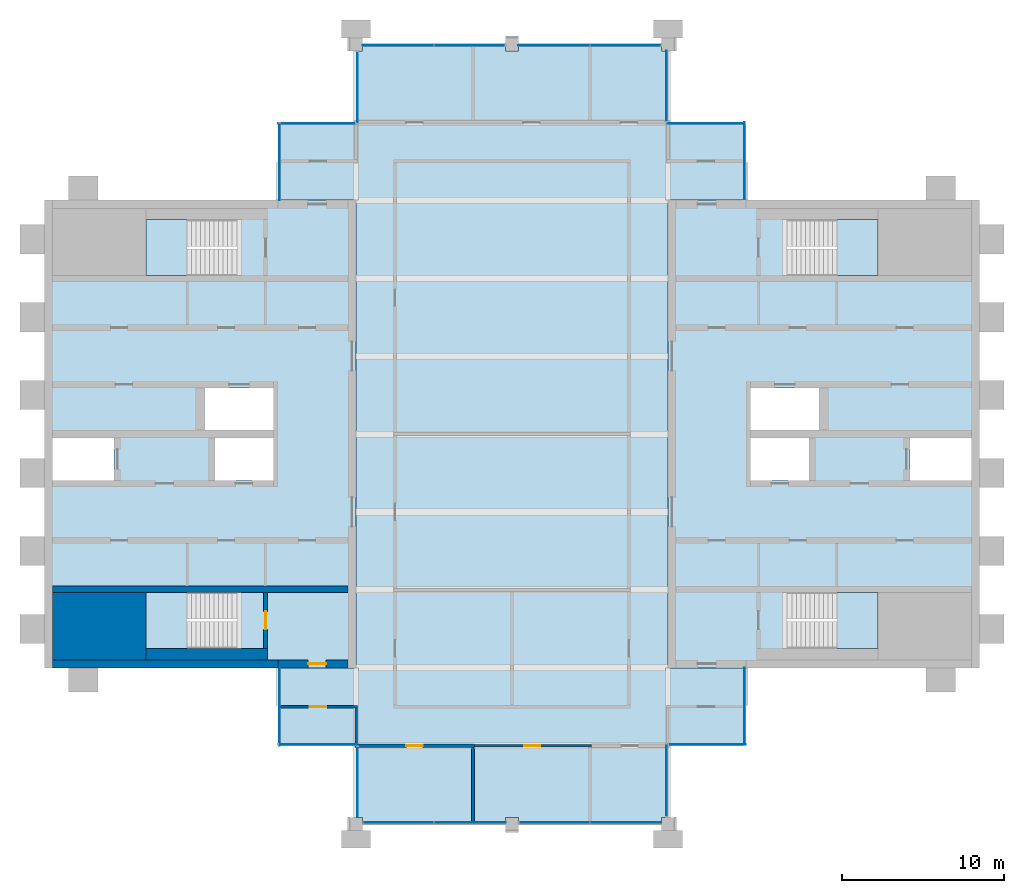
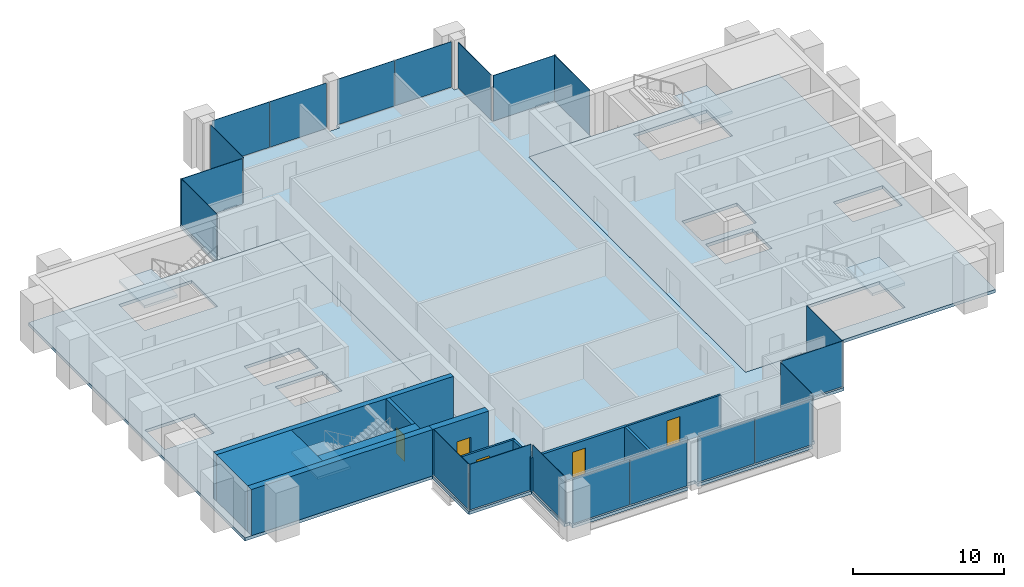
# One storey, part 7 of 11: 20 plates, 11 walls, 7 slabs, 5 doors, 5 openings, 20 elements without a shape of their own.
"""IFC4 building model written with IfcOpenShell, lengths in metres."""

from ifc_helpers import new_model, si_unit, direction, frame, frame_2d, origin, origin_2d, place, context, subcontext, project, spatial, polyline, rectangle, outline, extrude, material, layer, layer_set, type_object, element, fill, aggregate, save


model = new_model("IFC4")

# Units and contexts
model_context = context("Model", 3, precision=1e-05, world=origin(), true_north=direction((0.0, 1.0)))
body_context = subcontext(model_context, "Body", "Model", "MODEL_VIEW")
ifc_project = project(units=[si_unit("LENGTHUNIT", "METRE"), si_unit("AREAUNIT", "SQUARE_METRE"), si_unit("VOLUMEUNIT", "CUBIC_METRE"), si_unit("PLANEANGLEUNIT", "RADIAN"), si_unit("MASSUNIT", "GRAM", prefix="KILO")], contexts=[model_context])

# Site, building, storey
site_placement = place(None, origin())
site = spatial("IfcSite", under=ifc_project, at=site_placement, CompositionType="ELEMENT")
building_placement = place(site_placement, origin())
building = spatial("IfcBuilding", under=site, at=building_placement, Name="Baori Bourse Tower", CompositionType="ELEMENT")
storey_placement = place(building_placement, frame((0.0, 0.0, 358.300048828125)))
storey = spatial("IfcBuildingStorey", under=building, at=storey_placement, Name="L80", CompositionType="ELEMENT", Elevation=358.300048828125)

# Curtain wall, plate
ifc_material_1 = material(Name="Pale anodised aluminium", Category="aluminium")
curtain_wall_type = type_object("IfcCurtainWallType", Name="CW3 Curtain wall", PredefinedType="NOTDEFINED", material=ifc_material_1)
curtain_wall_1_placement = place(storey_placement, origin())
curtain_wall_1 = element("IfcCurtainWall", 1, at=curtain_wall_1_placement, inside=storey, type_object=curtain_wall_type, Name="Curtain wall CW3 L80 1", PredefinedType="NOTDEFINED")
ifc_material_2 = material(Name="Pale anodised aluminium", Category="aluminium")
ifc_layer_1 = layer(ifc_material_2, 0.0400390625)
ifc_layer_set_1 = layer_set([ifc_layer_1], Name="CW3 Curtain wall panel")
plate_type = type_object("IfcPlateType", Name="CW3 Curtain wall panel", PredefinedType="CURTAIN_PANEL", material=ifc_layer_set_1)
plate_1_placement = place(storey_placement, frame((43.1201171875, 7.22509765625, 0.06005859375), z_axis=(0.0, 0.0, 1.0), x_axis=(0.0, 1.0, 0.0)))
plate_1 = element("IfcPlate", 2, at=plate_1_placement, type_object=plate_type, Name="Curtain wall CW3 louvre panel", PredefinedType="CURTAIN_PANEL", context=body_context, shape_type="SweptSolid", body=[
    extrude(rectangle(XDim=4.75, YDim=0.0400390625, at=origin_2d()), origin(), (0.0, 0.0, 1.0), 3.68994140625),
])
aggregate(curtain_wall_1, [plate_1])

curtain_wall_2_placement = place(storey_placement, origin())
curtain_wall_2 = element("IfcCurtainWall", 3, at=curtain_wall_2_placement, inside=storey, type_object=curtain_wall_type, Name="Curtain wall CW3 L80 2", PredefinedType="NOTDEFINED")
plate_2_placement = place(storey_placement, frame((43.1201171875, 40.824951171875, 0.06005859375), z_axis=(0.0, 0.0, 1.0), x_axis=(0.0, 1.0, 0.0)))
plate_2 = element("IfcPlate", 4, at=plate_2_placement, type_object=plate_type, Name="Curtain wall CW3 louvre panel", PredefinedType="CURTAIN_PANEL", context=body_context, shape_type="SweptSolid", body=[
    extrude(rectangle(XDim=4.75, YDim=0.0400390625, at=origin_2d()), origin(), (0.0, 0.0, 1.0), 3.68994140625),
])
aggregate(curtain_wall_2, [plate_2])

curtain_wall_3_placement = place(storey_placement, origin())
curtain_wall_3 = element("IfcCurtainWall", 5, at=curtain_wall_3_placement, inside=storey, type_object=curtain_wall_type, Name="Curtain wall CW3 L80 3", PredefinedType="NOTDEFINED")
plate_3_placement = place(storey_placement, frame((40.77490234375, 43.1201171875, 0.06005859375), z_axis=(0.0, 0.0, 1.0), x_axis=(-1.0, 0.0, 0.0)))
plate_3 = element("IfcPlate", 6, at=plate_3_placement, type_object=plate_type, Name="Curtain wall CW3 louvre panel", PredefinedType="CURTAIN_PANEL", context=body_context, shape_type="SweptSolid", body=[
    extrude(rectangle(XDim=4.75, YDim=0.0400390625, at=origin_2d()), origin(), (0.0, 0.0, 1.0), 3.68994140625),
])
aggregate(curtain_wall_3, [plate_3])

curtain_wall_4_placement = place(storey_placement, origin())
curtain_wall_4 = element("IfcCurtainWall", 7, at=curtain_wall_4_placement, inside=storey, type_object=curtain_wall_type, Name="Curtain wall CW3 L80 4", PredefinedType="NOTDEFINED")
plate_4_placement = place(storey_placement, frame((38.320068359375, 45.425048828125, 0.06005859375), z_axis=(0.0, 0.0, 1.0), x_axis=(0.0, 1.0, 0.0)))
plate_4 = element("IfcPlate", 8, at=plate_4_placement, type_object=plate_type, Name="Curtain wall CW3 louvre panel", PredefinedType="CURTAIN_PANEL", context=body_context, shape_type="SweptSolid", body=[
    extrude(rectangle(XDim=4.35009765625, YDim=0.0400390625, at=origin_2d()), origin(), (0.0, 0.0, 1.0), 3.68994140625),
])
aggregate(curtain_wall_4, [plate_4])

# Curtain wall, plates
curtain_wall_5_placement = place(storey_placement, origin())
curtain_wall_5 = element("IfcCurtainWall", 9, at=curtain_wall_5_placement, inside=storey, type_object=curtain_wall_type, Name="Curtain wall CW3 L80 5", PredefinedType="NOTDEFINED")
plate_5_placement = place(storey_placement, frame((35.78759765625, 47.919921875, 0.06005859375), z_axis=(0.0, 0.0, 1.0), x_axis=(-1.0, 0.0, 0.0)))
plate_5 = element("IfcPlate", 10, at=plate_5_placement, type_object=plate_type, Name="Curtain wall CW3 louvre panel", PredefinedType="CURTAIN_PANEL", context=body_context, shape_type="SweptSolid", body=[
    extrude(rectangle(XDim=4.324951171875, YDim=0.0400390625, at=origin_2d()), origin(), (0.0, 0.0, 1.0), 3.68994140625),
])
plate_6_placement = place(storey_placement, frame((31.387451171875, 47.919921875, 0.06005859375), z_axis=(0.0, 0.0, 1.0), x_axis=(-1.0, 0.0, 0.0)))
plate_6 = element("IfcPlate", 11, at=plate_6_placement, type_object=plate_type, Name="Curtain wall CW3 louvre panel", PredefinedType="CURTAIN_PANEL", context=body_context, shape_type="SweptSolid", body=[
    extrude(rectangle(XDim=4.375, YDim=0.0400390625, at=origin_2d()), origin(), (0.0, 0.0, 1.0), 3.68994140625),
])
aggregate(curtain_wall_5, [plate_5, plate_6])

curtain_wall_6_placement = place(storey_placement, origin())
curtain_wall_6 = element("IfcCurtainWall", 12, at=curtain_wall_6_placement, inside=storey, type_object=curtain_wall_type, Name="Curtain wall CW3 L80 6", PredefinedType="NOTDEFINED")
plate_7_placement = place(storey_placement, frame((26.1875, 47.919921875, 0.06005859375), z_axis=(0.0, 0.0, 1.0), x_axis=(-1.0, 0.0, 0.0)))
plate_7 = element("IfcPlate", 13, at=plate_7_placement, type_object=plate_type, Name="Curtain wall CW3 louvre panel", PredefinedType="CURTAIN_PANEL", context=body_context, shape_type="SweptSolid", body=[
    extrude(rectangle(XDim=4.324951171875, YDim=0.0400390625, at=origin_2d()), origin(), (0.0, 0.0, 1.0), 3.68994140625),
])
plate_8_placement = place(storey_placement, frame((21.78759765625, 47.919921875, 0.06005859375), z_axis=(0.0, 0.0, 1.0), x_axis=(-1.0, 0.0, 0.0)))
plate_8 = element("IfcPlate", 14, at=plate_8_placement, type_object=plate_type, Name="Curtain wall CW3 louvre panel", PredefinedType="CURTAIN_PANEL", context=body_context, shape_type="SweptSolid", body=[
    extrude(rectangle(XDim=4.375, YDim=0.0400390625, at=origin_2d()), origin(), (0.0, 0.0, 1.0), 3.68994140625),
])
aggregate(curtain_wall_6, [plate_7, plate_8])

# Curtain wall, plate
curtain_wall_7_placement = place(storey_placement, origin())
curtain_wall_7 = element("IfcCurtainWall", 15, at=curtain_wall_7_placement, inside=storey, type_object=curtain_wall_type, Name="Curtain wall CW3 L80 7", PredefinedType="NOTDEFINED")
plate_9_placement = place(storey_placement, frame((19.280029296875, 45.375, 0.06005859375), z_axis=(0.0, 0.0, 1.0), x_axis=(0.0, -1.0, 0.0)))
plate_9 = element("IfcPlate", 16, at=plate_9_placement, type_object=plate_type, Name="Curtain wall CW3 louvre panel", PredefinedType="CURTAIN_PANEL", context=body_context, shape_type="SweptSolid", body=[
    extrude(rectangle(XDim=4.35009765625, YDim=0.0400390625, at=origin_2d()), origin(), (0.0, 0.0, 1.0), 3.68994140625),
])
aggregate(curtain_wall_7, [plate_9])

curtain_wall_8_placement = place(storey_placement, origin())
curtain_wall_8 = element("IfcCurtainWall", 17, at=curtain_wall_8_placement, inside=storey, type_object=curtain_wall_type, Name="Curtain wall CW3 L80 8", PredefinedType="NOTDEFINED")
plate_10_placement = place(storey_placement, frame((16.77490234375, 43.1201171875, 0.06005859375), z_axis=(0.0, 0.0, 1.0), x_axis=(-1.0, 0.0, 0.0)))
plate_10 = element("IfcPlate", 18, at=plate_10_placement, type_object=plate_type, Name="Curtain wall CW3 louvre panel", PredefinedType="CURTAIN_PANEL", context=body_context, shape_type="SweptSolid", body=[
    extrude(rectangle(XDim=4.75, YDim=0.0400390625, at=origin_2d()), origin(), (0.0, 0.0, 1.0), 3.68994140625),
])
aggregate(curtain_wall_8, [plate_10])

curtain_wall_9_placement = place(storey_placement, origin())
curtain_wall_9 = element("IfcCurtainWall", 19, at=curtain_wall_9_placement, inside=storey, type_object=curtain_wall_type, Name="Curtain wall CW3 L80 9", PredefinedType="NOTDEFINED")
plate_11_placement = place(storey_placement, frame((14.47998046875, 40.77490234375, 0.06005859375), z_axis=(0.0, 0.0, 1.0), x_axis=(0.0, -1.0, 0.0)))
plate_11 = element("IfcPlate", 20, at=plate_11_placement, type_object=plate_type, Name="Curtain wall CW3 louvre panel", PredefinedType="CURTAIN_PANEL", context=body_context, shape_type="SweptSolid", body=[
    extrude(rectangle(XDim=4.75, YDim=0.0400390625, at=origin_2d()), origin(), (0.0, 0.0, 1.0), 3.68994140625),
])
aggregate(curtain_wall_9, [plate_11])

curtain_wall_10_placement = place(storey_placement, origin())
curtain_wall_10 = element("IfcCurtainWall", 21, at=curtain_wall_10_placement, inside=storey, type_object=curtain_wall_type, Name="Curtain wall CW3 L80 10", PredefinedType="NOTDEFINED")
plate_12_placement = place(storey_placement, frame((14.47998046875, 7.175048828125, 0.06005859375), z_axis=(0.0, 0.0, 1.0), x_axis=(0.0, -1.0, 0.0)))
plate_12 = element("IfcPlate", 22, at=plate_12_placement, type_object=plate_type, Name="Curtain wall CW3 louvre panel", PredefinedType="CURTAIN_PANEL", context=body_context, shape_type="SweptSolid", body=[
    extrude(rectangle(XDim=4.75, YDim=0.0400390625, at=origin_2d()), origin(), (0.0, 0.0, 1.0), 3.68994140625),
])
aggregate(curtain_wall_10, [plate_12])

curtain_wall_11_placement = place(storey_placement, origin())
curtain_wall_11 = element("IfcCurtainWall", 23, at=curtain_wall_11_placement, inside=storey, type_object=curtain_wall_type, Name="Curtain wall CW3 L80 11", PredefinedType="NOTDEFINED")
plate_13_placement = place(storey_placement, frame((16.824951171875, 4.8798828125, 0.06005859375), z_axis=(0.0, 0.0, 1.0), x_axis=(1.0, 0.0, 0.0)))
plate_13 = element("IfcPlate", 24, at=plate_13_placement, type_object=plate_type, Name="Curtain wall CW3 louvre panel", PredefinedType="CURTAIN_PANEL", context=body_context, shape_type="SweptSolid", body=[
    extrude(rectangle(XDim=4.75, YDim=0.0400390625, at=origin_2d()), origin(), (0.0, 0.0, 1.0), 3.68994140625),
])
aggregate(curtain_wall_11, [plate_13])

curtain_wall_12_placement = place(storey_placement, origin())
curtain_wall_12 = element("IfcCurtainWall", 25, at=curtain_wall_12_placement, inside=storey, type_object=curtain_wall_type, Name="Curtain wall CW3 L80 12", PredefinedType="NOTDEFINED")
plate_14_placement = place(storey_placement, frame((19.280029296875, 2.574951171875, 0.06005859375), z_axis=(0.0, 0.0, 1.0), x_axis=(0.0, -1.0, 0.0)))
plate_14 = element("IfcPlate", 26, at=plate_14_placement, type_object=plate_type, Name="Curtain wall CW3 louvre panel", PredefinedType="CURTAIN_PANEL", context=body_context, shape_type="SweptSolid", body=[
    extrude(rectangle(XDim=4.35009765625, YDim=0.0400390625, at=origin_2d()), origin(), (0.0, 0.0, 1.0), 3.68994140625),
])
aggregate(curtain_wall_12, [plate_14])

# Curtain wall, plates
curtain_wall_13_placement = place(storey_placement, origin())
curtain_wall_13 = element("IfcCurtainWall", 27, at=curtain_wall_13_placement, inside=storey, type_object=curtain_wall_type, Name="Curtain wall CW3 L80 13", PredefinedType="NOTDEFINED")
plate_15_placement = place(storey_placement, frame((21.8125, 0.080078125, 0.06005859375), z_axis=(0.0, 0.0, 1.0), x_axis=(1.0, 0.0, 0.0)))
plate_15 = element("IfcPlate", 28, at=plate_15_placement, type_object=plate_type, Name="Curtain wall CW3 louvre panel", PredefinedType="CURTAIN_PANEL", context=body_context, shape_type="SweptSolid", body=[
    extrude(rectangle(XDim=4.324951171875, YDim=0.0400390625, at=origin_2d()), origin(), (0.0, 0.0, 1.0), 3.68994140625),
])
plate_16_placement = place(storey_placement, frame((26.21240234375, 0.080078125, 0.06005859375), z_axis=(0.0, 0.0, 1.0), x_axis=(1.0, 0.0, 0.0)))
plate_16 = element("IfcPlate", 29, at=plate_16_placement, type_object=plate_type, Name="Curtain wall CW3 louvre panel", PredefinedType="CURTAIN_PANEL", context=body_context, shape_type="SweptSolid", body=[
    extrude(rectangle(XDim=4.375, YDim=0.0400390625, at=origin_2d()), origin(), (0.0, 0.0, 1.0), 3.68994140625),
])
aggregate(curtain_wall_13, [plate_15, plate_16])

curtain_wall_14_placement = place(storey_placement, origin())
curtain_wall_14 = element("IfcCurtainWall", 30, at=curtain_wall_14_placement, inside=storey, type_object=curtain_wall_type, Name="Curtain wall CW3 L80 14", PredefinedType="NOTDEFINED")
plate_17_placement = place(storey_placement, frame((31.41259765625, 0.080078125, 0.06005859375), z_axis=(0.0, 0.0, 1.0), x_axis=(1.0, 0.0, 0.0)))
plate_17 = element("IfcPlate", 31, at=plate_17_placement, type_object=plate_type, Name="Curtain wall CW3 louvre panel", PredefinedType="CURTAIN_PANEL", context=body_context, shape_type="SweptSolid", body=[
    extrude(rectangle(XDim=4.324951171875, YDim=0.0400390625, at=origin_2d()), origin(), (0.0, 0.0, 1.0), 3.68994140625),
])
plate_18_placement = place(storey_placement, frame((35.8125, 0.080078125, 0.06005859375), z_axis=(0.0, 0.0, 1.0), x_axis=(1.0, 0.0, 0.0)))
plate_18 = element("IfcPlate", 32, at=plate_18_placement, type_object=plate_type, Name="Curtain wall CW3 louvre panel", PredefinedType="CURTAIN_PANEL", context=body_context, shape_type="SweptSolid", body=[
    extrude(rectangle(XDim=4.375, YDim=0.0400390625, at=origin_2d()), origin(), (0.0, 0.0, 1.0), 3.68994140625),
])
aggregate(curtain_wall_14, [plate_17, plate_18])

# Curtain wall, plate
curtain_wall_15_placement = place(storey_placement, origin())
curtain_wall_15 = element("IfcCurtainWall", 33, at=curtain_wall_15_placement, inside=storey, type_object=curtain_wall_type, Name="Curtain wall CW3 L80 15", PredefinedType="NOTDEFINED")
plate_19_placement = place(storey_placement, frame((38.320068359375, 2.625, 0.06005859375), z_axis=(0.0, 0.0, 1.0), x_axis=(0.0, 1.0, 0.0)))
plate_19 = element("IfcPlate", 34, at=plate_19_placement, type_object=plate_type, Name="Curtain wall CW3 louvre panel", PredefinedType="CURTAIN_PANEL", context=body_context, shape_type="SweptSolid", body=[
    extrude(rectangle(XDim=4.35009765625, YDim=0.0400390625, at=origin_2d()), origin(), (0.0, 0.0, 1.0), 3.68994140625),
])
aggregate(curtain_wall_15, [plate_19])

curtain_wall_16_placement = place(storey_placement, origin())
curtain_wall_16 = element("IfcCurtainWall", 35, at=curtain_wall_16_placement, inside=storey, type_object=curtain_wall_type, Name="Curtain wall CW3 L80 16", PredefinedType="NOTDEFINED")
plate_20_placement = place(storey_placement, frame((40.824951171875, 4.8798828125, 0.06005859375), z_axis=(0.0, 0.0, 1.0), x_axis=(1.0, 0.0, 0.0)))
plate_20 = element("IfcPlate", 36, at=plate_20_placement, type_object=plate_type, Name="Curtain wall CW3 louvre panel", PredefinedType="CURTAIN_PANEL", context=body_context, shape_type="SweptSolid", body=[
    extrude(rectangle(XDim=4.75, YDim=0.0400390625, at=origin_2d()), origin(), (0.0, 0.0, 1.0), 3.68994140625),
])
aggregate(curtain_wall_16, [plate_20])

# Slabs
ifc_material_3 = material(Name="Concrete f'c 50 MPa", Category="concrete")
ifc_layer_2 = layer(ifc_material_3, 0.25)
ifc_layer_set_2 = layer_set([ifc_layer_2], Name="Core slab 250")
slab_type_1 = type_object("IfcSlabType", Name="Core slab 250", PredefinedType="FLOOR", material=ifc_layer_set_2)
slab_1_placement = place(storey_placement, frame((0.0, 0.0, -0.25)))
element("IfcSlab", 37, at=slab_1_placement, inside=storey, type_object=slab_type_1, Name="Core floor slab W01", PredefinedType="FLOOR", context=body_context, shape_type="SweptSolid", body=[
    extrude(outline(polyline([(0.0, 9.60009765625), (19.199951171875, 9.60009765625), (19.199951171875, 38.39990234375), (0.0, 38.39990234375), (0.0, 9.60009765625)]), holes=[polyline([(10.5, 21.14990234375), (10.5, 23.75), (14.10009765625, 23.75), (14.10009765625, 21.14990234375), (10.5, 21.14990234375)]), polyline([(14.10009765625, 24.25), (9.89990234375, 24.25), (9.89990234375, 26.85009765625), (14.10009765625, 26.85009765625), (14.10009765625, 24.25)]), polyline([(6.25, 14.25), (11.84912109375, 14.25), (11.84912109375, 10.800048828125), (6.25, 10.800048828125), (6.25, 14.25)]), polyline([(11.84912109375, 37.199951171875), (11.84912109375, 33.75), (6.25, 33.75), (6.25, 37.199951171875), (11.84912109375, 37.199951171875)]), polyline([(4.300048828125, 23.75), (4.300048828125, 21.14990234375), (0.5, 21.14990234375), (0.5, 23.75), (4.300048828125, 23.75)])]), origin(), (0.0, 0.0, 1.0), 0.25),
])
slab_2_placement = place(storey_placement, frame((0.0, 0.0, -0.25)))
element("IfcSlab", 38, at=slab_2_placement, inside=storey, type_object=slab_type_1, Name="Core floor slab E01", PredefinedType="FLOOR", context=body_context, shape_type="SweptSolid", body=[
    extrude(outline(polyline([(38.39990234375, 38.39990234375), (38.39990234375, 9.60009765625), (57.60009765625, 9.60009765625), (57.60009765625, 38.39990234375), (38.39990234375, 38.39990234375)]), holes=[polyline([(57.10009765625, 21.14990234375), (53.300048828125, 21.14990234375), (53.300048828125, 23.75), (57.10009765625, 23.75), (57.10009765625, 21.14990234375)]), polyline([(45.750732421875, 14.25), (51.35009765625, 14.25), (51.35009765625, 10.800048828125), (45.750732421875, 10.800048828125), (45.750732421875, 14.25)]), polyline([(51.35009765625, 37.199951171875), (51.35009765625, 33.75), (45.750732421875, 33.75), (45.750732421875, 37.199951171875), (51.35009765625, 37.199951171875)]), polyline([(43.5, 24.25), (43.5, 26.85009765625), (47.699951171875, 26.85009765625), (47.699951171875, 24.25), (43.5, 24.25)]), polyline([(43.5, 23.75), (47.10009765625, 23.75), (47.10009765625, 21.14990234375), (43.5, 21.14990234375), (43.5, 23.75)])]), origin(), (0.0, 0.0, 1.0), 0.25),
])

# Stair, slab
ifc_material_4 = material(Name="Concrete f'c 50 MPa", Category="concrete")
stair_type = type_object("IfcStairType", Name="Core stair", PredefinedType="HALF_TURN_STAIR", material=ifc_material_4)
stair_1_placement = place(storey_placement, origin())
stair_1 = element("IfcStair", 39, at=stair_1_placement, inside=storey, type_object=stair_type, Name="L80 Stair WA", PredefinedType="HALF_TURN_STAIR")
ifc_material_5 = material(Name="Concrete f'c 50 MPa", Category="concrete")
slab_type_2 = type_object("IfcSlabType", Name="Core stair landing", PredefinedType="LANDING", material=ifc_material_5)
slab_3_placement = place(storey_placement, frame((0.0, 0.0, 1.800048828125)))
slab_3 = element("IfcSlab", 40, at=slab_3_placement, type_object=slab_type_2, Name="ST1 landing 1", PredefinedType="LANDING", context=body_context, shape_type="SweptSolid", body=[
    extrude(outline(polyline([(8.77001953125, 14.25), (6.25, 14.25), (6.25, 10.800048828125), (8.77001953125, 10.800048828125), (8.77001953125, 14.25)])), origin(), (0.0, 0.0, 1.0), 0.199951171875),
])
aggregate(stair_1, [slab_3])

stair_2_placement = place(storey_placement, origin())
stair_2 = element("IfcStair", 41, at=stair_2_placement, inside=storey, type_object=stair_type, Name="L80 Stair WB", PredefinedType="HALF_TURN_STAIR")
slab_4_placement = place(storey_placement, frame((0.0, 0.0, 1.800048828125)))
slab_4 = element("IfcSlab", 42, at=slab_4_placement, type_object=slab_type_2, Name="ST2 landing 1", PredefinedType="LANDING", context=body_context, shape_type="SweptSolid", body=[
    extrude(outline(polyline([(8.77001953125, 37.199951171875), (6.25, 37.199951171875), (6.25, 33.75), (8.77001953125, 33.75), (8.77001953125, 37.199951171875)])), origin(), (0.0, 0.0, 1.0), 0.199951171875),
])
aggregate(stair_2, [slab_4])

stair_3_placement = place(storey_placement, origin())
stair_3 = element("IfcStair", 43, at=stair_3_placement, inside=storey, type_object=stair_type, Name="L80 Stair EA", PredefinedType="HALF_TURN_STAIR")
slab_5_placement = place(storey_placement, frame((0.0, 0.0, 1.800048828125)))
slab_5 = element("IfcSlab", 44, at=slab_5_placement, type_object=slab_type_2, Name="ST3 landing 1", PredefinedType="LANDING", context=body_context, shape_type="SweptSolid", body=[
    extrude(outline(polyline([(48.830078125, 10.800048828125), (51.35009765625, 10.800048828125), (51.35009765625, 14.25), (48.830078125, 14.25), (48.830078125, 10.800048828125)])), origin(), (0.0, 0.0, 1.0), 0.199951171875),
])
aggregate(stair_3, [slab_5])

stair_4_placement = place(storey_placement, origin())
stair_4 = element("IfcStair", 45, at=stair_4_placement, inside=storey, type_object=stair_type, Name="L80 Stair EB", PredefinedType="HALF_TURN_STAIR")
slab_6_placement = place(storey_placement, frame((0.0, 0.0, 1.800048828125)))
slab_6 = element("IfcSlab", 46, at=slab_6_placement, type_object=slab_type_2, Name="ST4 landing 1", PredefinedType="LANDING", context=body_context, shape_type="SweptSolid", body=[
    extrude(outline(polyline([(48.830078125, 33.75), (51.35009765625, 33.75), (51.35009765625, 37.199951171875), (48.830078125, 37.199951171875), (48.830078125, 33.75)])), origin(), (0.0, 0.0, 1.0), 0.199951171875),
])
aggregate(stair_4, [slab_6])

# Slab
ifc_material_6 = material(Name="Concrete f'c 40 MPa", Category="concrete")
ifc_layer_3 = layer(ifc_material_6, 0.25)
ifc_layer_set_3 = layer_set([ifc_layer_3], Name="Floor slab 250")
slab_type_3 = type_object("IfcSlabType", Name="Floor slab 250", PredefinedType="FLOOR", material=ifc_layer_set_3)
slab_7_placement = place(storey_placement, frame((0.0, 0.0, -0.25)))
element("IfcSlab", 47, at=slab_7_placement, inside=storey, type_object=slab_type_3, Name="Floor slab L80", PredefinedType="FLOOR", context=body_context, shape_type="SweptSolid", body=[
    extrude(outline(polyline([(19.199951171875, 4.800048828125), (14.39990234375, 4.800048828125), (14.39990234375, 9.60009765625), (19.199951171875, 9.60009765625), (19.199951171875, 38.39990234375), (14.39990234375, 38.39990234375), (14.39990234375, 43.199951171875), (19.199951171875, 43.199951171875), (19.199951171875, 47.60009765625), (19.60009765625, 47.60009765625), (19.60009765625, 48.0), (28.39990234375, 48.0), (28.39990234375, 47.60009765625), (29.199951171875, 47.60009765625), (29.199951171875, 48.0), (38.0, 48.0), (38.0, 47.60009765625), (38.39990234375, 47.60009765625), (38.39990234375, 43.199951171875), (43.199951171875, 43.199951171875), (43.199951171875, 38.39990234375), (38.39990234375, 38.39990234375), (38.39990234375, 9.60009765625), (43.199951171875, 9.60009765625), (43.199951171875, 4.800048828125), (38.39990234375, 4.800048828125), (38.39990234375, 0.39990234375), (38.0, 0.39990234375), (38.0, 0.0), (29.199951171875, 0.0), (29.199951171875, 0.39990234375), (28.39990234375, 0.39990234375), (28.39990234375, 0.0), (19.60009765625, 0.0), (19.60009765625, 0.39990234375), (19.199951171875, 0.39990234375), (19.199951171875, 4.800048828125)])), origin(), (0.0, 0.0, 1.0), 0.25),
])

# Walls
ifc_material_7 = material(Name="Concrete f'c 40 MPa", Category="concrete")
wall_type_1 = type_object("IfcWallType", Name="Core corner block f'c 40", PredefinedType="SHEAR", material=ifc_material_7)
wall_1_placement = place(storey_placement, frame((0.5, 12.175048828125, 0.0), z_axis=(0.0, 0.0, 1.0), x_axis=(1.0, 0.0, 0.0)))
element("IfcWall", 48, at=wall_1_placement, inside=storey, type_object=wall_type_1, Name="Core wall W05", PredefinedType="SHEAR", context=body_context, shape_type="SweptSolid", body=[
    extrude(rectangle(XDim=5.75, YDim=4.14990234375, at=frame_2d((2.875, 0.0))), origin(), (0.0, 0.0, 1.0), 3.75),
])
ifc_material_8 = material(Name="Concrete f'c 40 MPa", Category="concrete")
ifc_layer_4 = layer(ifc_material_8, 0.5)
ifc_layer_set_4 = layer_set([ifc_layer_4], Name="Core wall 500 f'c 40")
wall_type_2 = type_object("IfcWallType", Name="Core wall 500 f'c 40", PredefinedType="SHEAR", material=ifc_layer_set_4)
wall_2_placement = place(storey_placement, frame((14.39990234375, 9.85009765625, 0.0), z_axis=(0.0, 0.0, 1.0), x_axis=(-1.0, 0.0, 0.0)))
element("IfcWall", 49, at=wall_2_placement, inside=storey, type_object=wall_type_2, Name="Core wall W02", PredefinedType="SHEAR", context=body_context, shape_type="SweptSolid", body=[
    extrude(rectangle(XDim=13.89990234375, YDim=0.5, at=frame_2d((6.949951171875, 0.0))), origin(), (0.0, 0.0, 1.0), 3.75),
])

# Wall, opening, door
wall_3_placement = place(storey_placement, frame((18.699951171875, 9.85009765625, 0.0), z_axis=(0.0, 0.0, 1.0), x_axis=(-1.0, 0.0, 0.0)))
wall_3 = element("IfcWall", 50, at=wall_3_placement, inside=storey, type_object=wall_type_2, Name="Core wall W03", PredefinedType="SHEAR", context=body_context, shape_type="SweptSolid", body=[
    extrude(rectangle(XDim=4.300048828125, YDim=0.5, at=frame_2d((2.14990234375, 0.0))), origin(), (0.0, 0.0, 1.0), 3.75),
])
opening_1_placement = place(wall_3_placement, frame((1.35009765625, 0.0, 0.0)))
opening_1 = element("IfcOpeningElement", 51, at=opening_1_placement, cuts=wall_3, Name="Opening L80-D102", PredefinedType="OPENING", context=body_context, shape_type="SweptSolid", body=[
    extrude(rectangle(XDim=1.10009765625, YDim=2.10009765625, at=frame_2d((0.550048828125, 1.050048828125))), frame((0.0, 0.260009765625, 0.0), z_axis=(0.0, -1.0, 0.0), x_axis=(1.0, 0.0, 0.0)), (0.0, 0.0, 1.0), 0.52001953125),
])
ifc_material_9 = material(Name="Painted steel door", Category="steel")
door_type_1 = type_object("IfcDoorType", Name="Stair door 1100", OperationType="SINGLE_SWING_LEFT", PredefinedType="DOOR", material=ifc_material_9)
door_1_placement = place(opening_1_placement, origin())
door_1 = element("IfcDoor", 52, at=door_1_placement, inside=storey, type_object=door_type_1, Name="Stair vestibule door A W L80", OperationType="SINGLE_SWING_LEFT", OverallHeight=2.10009765625, OverallWidth=1.10009765625, PredefinedType="DOOR", context=body_context, shape_type="SweptSolid", body=[
    extrude(rectangle(XDim=1.10009765625, YDim=2.10009765625, at=frame_2d((0.550048828125, 1.050048828125))), frame((0.0, 0.02490234375, 0.0), z_axis=(0.0, -1.0, 0.0), x_axis=(1.0, 0.0, 0.0)), (0.0, 0.0, 1.0), 0.050048828125),
])
fill(opening_1, door_1)

ifc_material_10 = material(Name="Gypsum board partition")
ifc_layer_5 = layer(ifc_material_10, 0.14990234375)
ifc_layer_set_5 = layer_set([ifc_layer_5], Name="Corridor partition 150")
wall_type_3 = type_object("IfcWallType", Name="Corridor partition 150", PredefinedType="PARTITIONING", material=ifc_layer_set_5)
wall_4_placement = place(storey_placement, frame((26.5, 4.800048828125, 0.0), z_axis=(0.0, 0.0, 1.0), x_axis=(1.0, 0.0, 0.0)))
wall_4 = element("IfcWall", 53, at=wall_4_placement, inside=storey, type_object=wall_type_3, Name="Partition", PredefinedType="PARTITIONING", context=body_context, shape_type="SweptSolid", body=[
    extrude(rectangle(XDim=7.199951171875, YDim=0.14990234375, at=frame_2d((3.60009765625, 0.0))), origin(), (0.0, 0.0, 1.0), 2.75927734375),
])
opening_2_placement = place(wall_4_placement, frame((3.050048828125, 0.0, 0.0)))
opening_2 = element("IfcOpeningElement", 54, at=opening_2_placement, cuts=wall_4, Name="Opening L80-D02", PredefinedType="OPENING", context=body_context, shape_type="SweptSolid", body=[
    extrude(rectangle(XDim=1.0, YDim=2.10009765625, at=frame_2d((0.5, 1.050048828125))), frame((0.0, 0.0849609375, 0.0), z_axis=(0.0, -1.0, 0.0), x_axis=(1.0, 0.0, 0.0)), (0.0, 0.0, 1.0), 0.169921875),
])
ifc_material_11 = material(Name="Timber door leaf", Category="wood")
door_type_2 = type_object("IfcDoorType", Name="Door 1000 x 2100", OperationType="SINGLE_SWING_LEFT", PredefinedType="DOOR", material=ifc_material_11)
door_2_placement = place(opening_2_placement, origin())
door_2 = element("IfcDoor", 55, at=door_2_placement, inside=storey, type_object=door_type_2, Name="Door", OperationType="SINGLE_SWING_LEFT", OverallHeight=2.10009765625, OverallWidth=1.0, PredefinedType="DOOR", context=body_context, shape_type="SweptSolid", body=[
    extrude(rectangle(XDim=1.0, YDim=2.10009765625, at=frame_2d((0.5, 1.050048828125))), frame((0.0, 0.02490234375, 0.0), z_axis=(0.0, -1.0, 0.0), x_axis=(1.0, 0.0, 0.0)), (0.0, 0.0, 1.0), 0.050048828125),
])
fill(opening_2, door_2)

wall_5_placement = place(storey_placement, frame((14.5, 7.199951171875, 0.0), z_axis=(0.0, 0.0, 1.0), x_axis=(1.0, 0.0, 0.0)))
wall_5 = element("IfcWall", 56, at=wall_5_placement, inside=storey, type_object=wall_type_3, Name="Partition", PredefinedType="PARTITIONING", context=body_context, shape_type="SweptSolid", body=[
    extrude(rectangle(XDim=4.77490234375, YDim=0.14990234375, at=frame_2d((2.387451171875, 0.0))), origin(), (0.0, 0.0, 1.0), 2.75927734375),
])
opening_3_placement = place(wall_5_placement, frame((1.85009765625, 0.0, 0.0)))
opening_3 = element("IfcOpeningElement", 57, at=opening_3_placement, cuts=wall_5, Name="Opening L80-D04", PredefinedType="OPENING", context=body_context, shape_type="SweptSolid", body=[
    extrude(rectangle(XDim=1.0, YDim=2.10009765625, at=frame_2d((0.5, 1.050048828125))), frame((0.0, 0.0849609375, 0.0), z_axis=(0.0, -1.0, 0.0), x_axis=(1.0, 0.0, 0.0)), (0.0, 0.0, 1.0), 0.169921875),
])
door_3_placement = place(opening_3_placement, origin())
door_3 = element("IfcDoor", 58, at=door_3_placement, inside=storey, type_object=door_type_2, Name="Door", OperationType="SINGLE_SWING_LEFT", OverallHeight=2.10009765625, OverallWidth=1.0, PredefinedType="DOOR", context=body_context, shape_type="SweptSolid", body=[
    extrude(rectangle(XDim=1.0, YDim=2.10009765625, at=frame_2d((0.5, 1.050048828125))), frame((0.0, 0.02490234375, 0.0), z_axis=(0.0, -1.0, 0.0), x_axis=(1.0, 0.0, 0.0)), (0.0, 0.0, 1.0), 0.050048828125),
])
fill(opening_3, door_3)

# Wall
wall_6_placement = place(storey_placement, frame((19.199951171875, 4.89990234375, 0.0), z_axis=(0.0, 0.0, 1.0), x_axis=(0.0, 1.0, 0.0)))
element("IfcWall", 59, at=wall_6_placement, inside=storey, type_object=wall_type_3, Name="Partition", PredefinedType="PARTITIONING", context=body_context, shape_type="SweptSolid", body=[
    extrude(rectangle(XDim=2.22509765625, YDim=0.14990234375, at=frame_2d((1.112548828125, 0.0))), origin(), (0.0, 0.0, 1.0), 2.75927734375),
])

# Wall, opening, door
ifc_material_12 = material(Name="Gypsum board partition")
ifc_layer_6 = layer(ifc_material_12, 0.199951171875)
ifc_layer_set_6 = layer_set([ifc_layer_6], Name="Plant room wall 200")
wall_type_4 = type_object("IfcWallType", Name="Plant room wall 200", PredefinedType="PARTITIONING", material=ifc_layer_set_6)
wall_7_placement = place(storey_placement, frame((19.125, 4.800048828125, 0.0), z_axis=(0.0, 0.0, 1.0), x_axis=(1.0, 0.0, 0.0)))
wall_7 = element("IfcWall", 60, at=wall_7_placement, inside=storey, type_object=wall_type_4, Name="Partition", PredefinedType="PARTITIONING", context=body_context, shape_type="SweptSolid", body=[
    extrude(rectangle(XDim=7.375, YDim=0.199951171875, at=frame_2d((3.6875, 0.0))), origin(), (0.0, 0.0, 1.0), 2.75927734375),
])
opening_4_placement = place(wall_7_placement, frame((3.175048828125, 0.0, 0.0)))
opening_4 = element("IfcOpeningElement", 61, at=opening_4_placement, cuts=wall_7, Name="Opening L80-D01", PredefinedType="OPENING", context=body_context, shape_type="SweptSolid", body=[
    extrude(rectangle(XDim=1.0, YDim=2.10009765625, at=frame_2d((0.5, 1.050048828125))), frame((0.0, 0.10986328125, 0.0), z_axis=(0.0, -1.0, 0.0), x_axis=(1.0, 0.0, 0.0)), (0.0, 0.0, 1.0), 0.219970703125),
])
door_4_placement = place(opening_4_placement, origin())
door_4 = element("IfcDoor", 62, at=door_4_placement, inside=storey, type_object=door_type_2, Name="Door", OperationType="SINGLE_SWING_LEFT", OverallHeight=2.10009765625, OverallWidth=1.0, PredefinedType="DOOR", context=body_context, shape_type="SweptSolid", body=[
    extrude(rectangle(XDim=1.0, YDim=2.10009765625, at=frame_2d((0.5, 1.050048828125))), frame((0.0, 0.02490234375, 0.0), z_axis=(0.0, -1.0, 0.0), x_axis=(1.0, 0.0, 0.0)), (0.0, 0.0, 1.0), 0.050048828125),
])
fill(opening_4, door_4)

# Wall
wall_8_placement = place(storey_placement, frame((26.39990234375, 0.10009765625, 0.0), z_axis=(0.0, 0.0, 1.0), x_axis=(0.0, 1.0, 0.0)))
element("IfcWall", 63, at=wall_8_placement, inside=storey, type_object=wall_type_4, Name="Partition", PredefinedType="PARTITIONING", context=body_context, shape_type="SweptSolid", body=[
    extrude(rectangle(XDim=4.599853515625, YDim=0.199951171875, at=frame_2d((2.2998046875, 0.0))), origin(), (0.0, 0.0, 1.0), 2.75927734375),
])

# Wall, opening, door
ifc_material_13 = material(Name="Concrete f'c 40 MPa", Category="concrete")
ifc_layer_7 = layer(ifc_material_13, 0.25)
ifc_layer_set_7 = layer_set([ifc_layer_7], Name="Shaft wall 250 f'c 40")
wall_type_5 = type_object("IfcWallType", Name="Shaft wall 250 f'c 40", PredefinedType="SHEAR", material=ifc_layer_set_7)
wall_9_placement = place(storey_placement, frame((13.625, 10.800048828125, 0.0), z_axis=(0.0, 0.0, 1.0), x_axis=(0.0, 1.0, 0.0)))
wall_9 = element("IfcWall", 64, at=wall_9_placement, inside=storey, type_object=wall_type_5, Name="Core wall W07", PredefinedType="SHEAR", context=body_context, shape_type="SweptSolid", body=[
    extrude(rectangle(XDim=3.449951171875, YDim=0.25, at=frame_2d((1.72509765625, 0.0))), origin(), (0.0, 0.0, 1.0), 3.75),
])
opening_5_placement = place(wall_9_placement, frame((1.175048828125, 0.0, 0.0)))
opening_5 = element("IfcOpeningElement", 65, at=opening_5_placement, cuts=wall_9, Name="Opening L80-D101", PredefinedType="OPENING", context=body_context, shape_type="SweptSolid", body=[
    extrude(rectangle(XDim=1.10009765625, YDim=2.10009765625, at=frame_2d((0.550048828125, 1.050048828125))), frame((0.0, 0.135009765625, 0.0), z_axis=(0.0, -1.0, 0.0), x_axis=(1.0, 0.0, 0.0)), (0.0, 0.0, 1.0), 0.27001953125),
])
door_5_placement = place(opening_5_placement, origin())
door_5 = element("IfcDoor", 66, at=door_5_placement, inside=storey, type_object=door_type_1, Name="Stair door A W L80", OperationType="SINGLE_SWING_LEFT", OverallHeight=2.10009765625, OverallWidth=1.10009765625, PredefinedType="DOOR", context=body_context, shape_type="SweptSolid", body=[
    extrude(rectangle(XDim=1.10009765625, YDim=2.10009765625, at=frame_2d((0.550048828125, 1.050048828125))), frame((0.0, 0.02490234375, 0.0), z_axis=(0.0, -1.0, 0.0), x_axis=(1.0, 0.0, 0.0)), (0.0, 0.0, 1.0), 0.050048828125),
])
fill(opening_5, door_5)

# Walls
ifc_material_14 = material(Name="Concrete f'c 40 MPa", Category="concrete")
ifc_layer_8 = layer(ifc_material_14, 0.39990234375)
ifc_layer_set_8 = layer_set([ifc_layer_8], Name="Shaft wall 400 f'c 40")
wall_type_6 = type_object("IfcWallType", Name="Shaft wall 400 f'c 40", PredefinedType="SHEAR", material=ifc_layer_set_8)
wall_10_placement = place(storey_placement, frame((0.5, 14.449951171875, 0.0), z_axis=(0.0, 0.0, 1.0), x_axis=(1.0, 0.0, 0.0)))
element("IfcWall", 67, at=wall_10_placement, inside=storey, type_object=wall_type_6, Name="Core wall W08", PredefinedType="SHEAR", context=body_context, shape_type="SweptSolid", body=[
    extrude(rectangle(XDim=18.199951171875, YDim=0.39990234375, at=frame_2d((9.10009765625, 0.0))), origin(), (0.0, 0.0, 1.0), 3.75),
])
ifc_material_15 = material(Name="Concrete f'c 40 MPa", Category="concrete")
ifc_layer_9 = layer(ifc_material_15, 0.699951171875)
ifc_layer_set_9 = layer_set([ifc_layer_9], Name="Shaft wall 700 f'c 40")
wall_type_7 = type_object("IfcWallType", Name="Shaft wall 700 f'c 40", PredefinedType="SHEAR", material=ifc_layer_set_9)
wall_11_placement = place(storey_placement, frame((6.25, 10.449951171875, 0.0), z_axis=(0.0, 0.0, 1.0), x_axis=(1.0, 0.0, 0.0)))
element("IfcWall", 68, at=wall_11_placement, inside=storey, type_object=wall_type_7, Name="Core wall W06", PredefinedType="SHEAR", context=body_context, shape_type="SweptSolid", body=[
    extrude(rectangle(XDim=7.5, YDim=0.699951171875, at=frame_2d((3.75, 0.0))), origin(), (0.0, 0.0, 1.0), 3.75),
])

save(model, "model.ifc")
